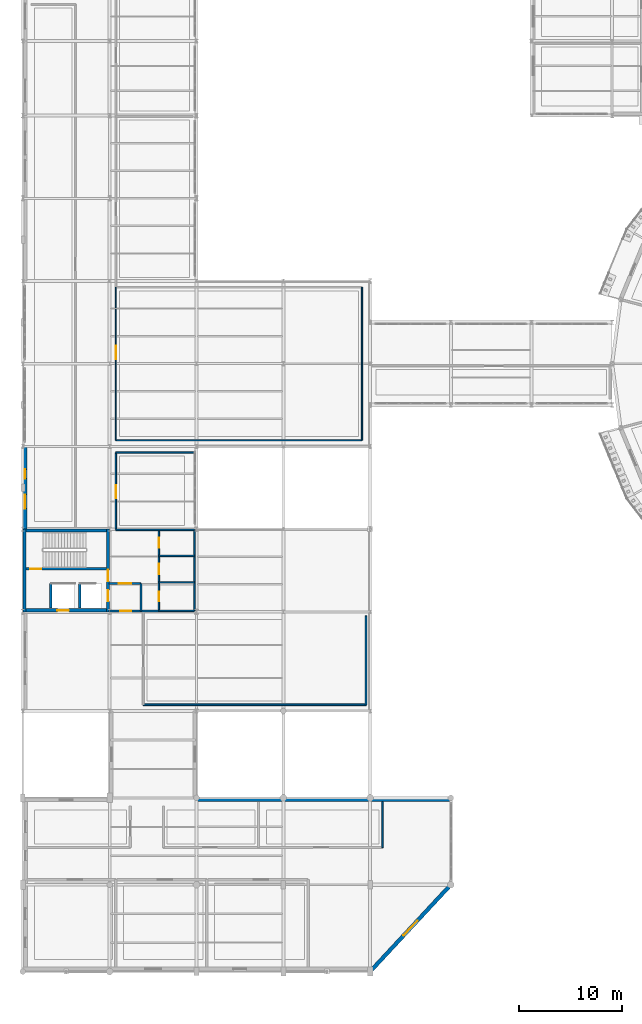
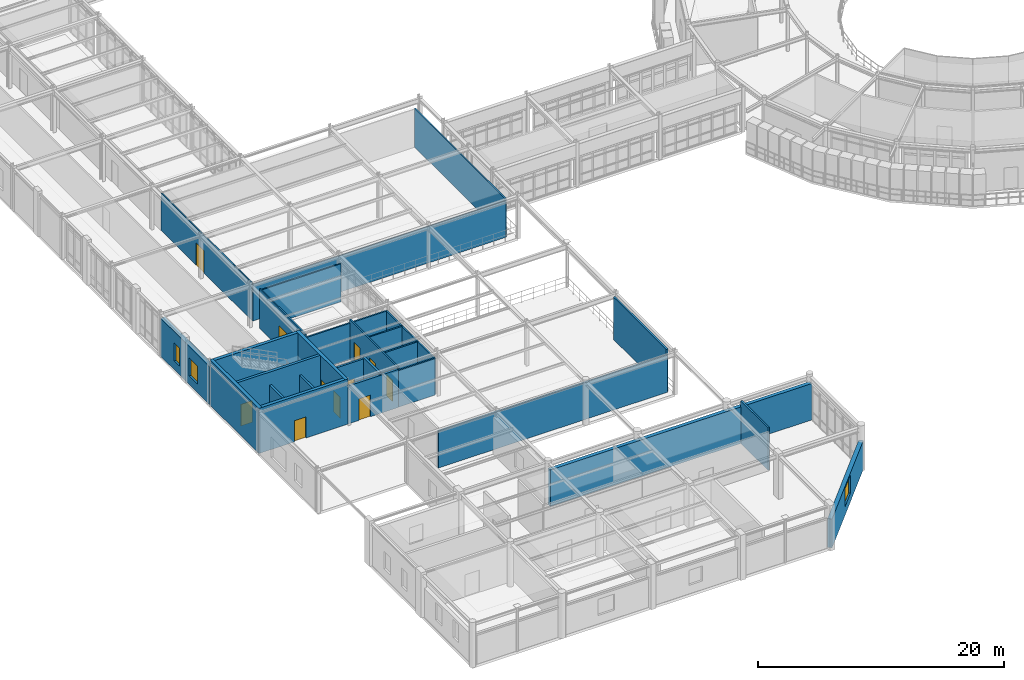
# One storey, part 84 of 106: 27 walls, 11 doors, 3 windows, 14 openings.
"""IFC4 building model written with IfcOpenShell, lengths in metres."""

import ifcopenshell
import ifcopenshell.guid

model = None  # the IFC model being written
_history = None  # IfcOwnerHistory: only IFC2X3 demands one
_inside = {}  # id of a spatial element -> (the spatial element, [elements in it])
_under = {}  # id of a project, library or spatial element -> (it, [spatial elements below it])
_declared = {}  # id of a project -> (the project, [libraries it declares])
_typed = {}  # id of a type object -> (the type object, [elements of that type])
_made_of = {}  # id of a material, layer set ... -> (it, [elements and type objects made of it])


def new_model(schema):
    """Start an empty IFC model of exactly this schema.

    Asked for "IFC4X3", IfcOpenShell would pick the latest addendum, in which some entities
    have other attributes; the version numbers below select the first issue.
    IFC2X3 requires an IfcOwnerHistory on every rooted entity: one is made here for all.
    """
    global model, _history
    if schema == "IFC4X3":
        model = ifcopenshell.file(schema_version=(4, 3, 0, 0))
    else:
        model = ifcopenshell.file(schema=schema)
    _inside.clear()
    _under.clear()
    _declared.clear()
    _typed.clear()
    _made_of.clear()
    _history = None
    if model.schema == "IFC2X3":
        org = make("IfcOrganization", Name="unknown")
        user = make(
            "IfcPersonAndOrganization",
            ThePerson=make("IfcPerson", FamilyName="unknown"),
            TheOrganization=org,
        )
        app = make(
            "IfcApplication",
            ApplicationDeveloper=org,
            Version="unknown",
            ApplicationFullName="unknown",
            ApplicationIdentifier="unknown",
        )
        _history = make(
            "IfcOwnerHistory",
            OwningUser=user,
            OwningApplication=app,
            ChangeAction="ADDED",
            CreationDate=0,
        )
    return model


def make(cls, **values):
    """One entity of the class cls with the attributes given. An attribute that is None is left unset."""
    return model.create_entity(
        cls, **{name: value for name, value in values.items() if value is not None}
    )


def rooted(cls, **values):
    """An entity with a GlobalId (a new one), such as an element, a storey or a relation."""
    return make(cls, GlobalId=ifcopenshell.guid.new(), OwnerHistory=_history, **values)


def si_unit(unit_type, name, prefix=None):
    """IfcSIUnit, for example si_unit("LENGTHUNIT", "METRE", prefix="MILLI")."""
    return make("IfcSIUnit", UnitType=unit_type, Prefix=prefix, Name=name)


def derived_unit(unit_type, elements):
    """IfcDerivedUnit: a product of units, each with its exponent."""
    return make(
        "IfcDerivedUnit",
        Elements=[
            make("IfcDerivedUnitElement", Unit=unit, Exponent=power)
            for unit, power in elements
        ],
        UnitType=unit_type,
    )


def assignment(units):
    """IfcUnitAssignment: the units of a project."""
    return None if units is None else make("IfcUnitAssignment", Units=units)


def point(xyz):
    """IfcCartesianPoint."""
    return None if xyz is None else make("IfcCartesianPoint", Coordinates=xyz)


def direction(xyz):
    """IfcDirection."""
    return None if xyz is None else make("IfcDirection", DirectionRatios=xyz)


def frame(location, z_axis=None, x_axis=None):
    """IfcAxis2Placement3D, a coordinate frame: its origin and axes. An axis left out is left unset."""
    return make(
        "IfcAxis2Placement3D",
        Location=point(location),
        Axis=direction(z_axis),
        RefDirection=direction(x_axis),
    )


def frame_2d(location, x_axis=None):
    """IfcAxis2Placement2D, a coordinate frame in the plane: its origin and x axis."""
    return make(
        "IfcAxis2Placement2D", Location=point(location), RefDirection=direction(x_axis)
    )


def origin():
    """The frame at (0, 0, 0) with its axes left unset."""
    return frame((0.0, 0.0, 0.0))


def place(relative_to, where):
    """IfcLocalPlacement: puts the frame where relative to a parent placement (None: the world)."""
    return make(
        "IfcLocalPlacement", PlacementRelTo=relative_to, RelativePlacement=where
    )


def context(
    kind, dimensions, precision=None, world=None, true_north=None, identifier=None
):
    """IfcGeometricRepresentationContext, for example the 3D "Model" context."""
    return make(
        "IfcGeometricRepresentationContext",
        ContextIdentifier=identifier,
        ContextType=kind,
        CoordinateSpaceDimension=dimensions,
        Precision=precision,
        WorldCoordinateSystem=world,
        TrueNorth=true_north,
    )


def subcontext(parent, identifier, kind, view, scale=None):
    """IfcGeometricRepresentationSubContext, for example "Body" below "Model"."""
    return make(
        "IfcGeometricRepresentationSubContext",
        ContextIdentifier=identifier,
        ContextType=kind,
        ParentContext=parent,
        TargetScale=scale,
        TargetView=view,
    )


def project(units=None, contexts=None):
    """IfcProject with its units and contexts."""
    return rooted(
        "IfcProject",
        Name="project",
        RepresentationContexts=contexts,
        UnitsInContext=assignment(units),
    )


def spatial(cls, under=None, at=None, **own):
    """A site, building, storey or space (cls), placed at a placement, below another one or the project."""
    s = rooted(cls, ObjectPlacement=at, **own)
    if under is not None:
        _under.setdefault(under.id(), (under, []))[1].append(s)
    return s


def profile(cls, at=None, kind="AREA", **sizes):
    """A parametric profile (cls). Its sizes go by their IFC names, for example OverallWidth=200.0."""
    return make(cls, ProfileType=kind, Position=at, **sizes)


def rectangle(**sizes):
    """IfcRectangleProfileDef."""
    return profile("IfcRectangleProfileDef", **sizes)


def extrude(swept, where, along, depth):
    """IfcExtrudedAreaSolid: the profile swept, set in the frame where, extruded along a direction by depth."""
    return make(
        "IfcExtrudedAreaSolid",
        SweptArea=swept,
        Position=where,
        ExtrudedDirection=direction(along),
        Depth=depth,
    )


def shape(context_of_items, identifier, shape_type, items):
    """IfcShapeRepresentation: the items that make up one representation, for example the "Body"."""
    return make(
        "IfcShapeRepresentation",
        ContextOfItems=context_of_items,
        RepresentationIdentifier=identifier,
        RepresentationType=shape_type,
        Items=items,
    )


def material(Name=None, Category=None):
    """IfcMaterial."""
    return make("IfcMaterial", Name=Name, Category=Category)


def layer(
    of_material, thickness, ventilated=None, Name=None, Category=None, Priority=None
):
    """IfcMaterialLayer: one layer of a wall or slab, of a material (None: an air gap)."""
    return make(
        "IfcMaterialLayer",
        Material=of_material,
        LayerThickness=thickness,
        IsVentilated=ventilated,
        Name=Name,
        Category=Category,
        Priority=Priority,
    )


def layer_set(layers, Name=None):
    """IfcMaterialLayerSet."""
    return make("IfcMaterialLayerSet", MaterialLayers=layers, LayerSetName=Name)


def made_of(thing, what):
    """Note that an element or type object is made of a material, layer set ...; save() writes the relation."""
    if what is not None:
        _made_of.setdefault(what.id(), (what, []))[1].append(thing)
    return thing


def type_object(cls, material=None, **own):
    """A type object (cls), such as IfcWallType, which elements share."""
    return made_of(rooted(cls, **own), material)


def element(
    cls,
    number,
    at=None,
    inside=None,
    cuts=None,
    type_object=None,
    material=None,
    context=None,
    identifier="Body",
    shape_type=None,
    held_by="IfcProductDefinitionShape",
    body=None,
    shapes=None,
    **own,
):
    """One element of the class cls, such as IfcWall. Its Tag is "e" and its number.

    at: its placement. inside: the storey or other place that contains it. cuts: it is an
    opening in that element (IfcRelVoidsElement). A single representation is given by context,
    identifier, shape_type and body (its items); several are given by shapes. held_by: the class
    of the entity that holds the representations. save() writes the other relations.
    """
    e = rooted(cls, Tag="e%d" % number, ObjectPlacement=at, **own)
    if body is not None:
        shapes = [shape(context, identifier, shape_type, body)]
    if shapes is not None:
        e.Representation = make(held_by, Representations=shapes)
    if inside is not None:
        _inside.setdefault(inside.id(), (inside, []))[1].append(e)
    if cuts is not None:
        rooted(
            "IfcRelVoidsElement", RelatingBuildingElement=cuts, RelatedOpeningElement=e
        )
    if type_object is not None:
        _typed.setdefault(type_object.id(), (type_object, []))[1].append(e)
    return made_of(e, material)


def fill(opening, filler):
    """IfcRelFillsElement: the door or window that sits in an opening."""
    return rooted(
        "IfcRelFillsElement",
        RelatingOpeningElement=opening,
        RelatedBuildingElement=filler,
    )


def aggregate(whole, parts):
    """IfcRelAggregates: a whole, such as a stair, and the parts it consists of."""
    return rooted("IfcRelAggregates", RelatingObject=whole, RelatedObjects=parts)


def save(model, path):
    """Write the relations noted so far, then the file.

    IfcRelAggregates (storeys below a building ...), IfcRelContainedInSpatialStructure (elements
    in a storey), IfcRelDefinesByType, IfcRelAssociatesMaterial and IfcRelDeclares: one each for
    every whole, place, type object, material and project.
    """
    for whole, parts in _under.values():
        aggregate(whole, parts)
    for where, things in _inside.values():
        rooted(
            "IfcRelContainedInSpatialStructure",
            RelatedElements=things,
            RelatingStructure=where,
        )
    for kind, things in _typed.values():
        rooted("IfcRelDefinesByType", RelatedObjects=things, RelatingType=kind)
    for what, things in _made_of.values():
        rooted("IfcRelAssociatesMaterial", RelatedObjects=things, RelatingMaterial=what)
    for by, libraries in _declared.values():
        rooted("IfcRelDeclares", RelatingContext=by, RelatedDefinitions=libraries)
    model.write(path)


model = new_model("IFC4")

# Units and contexts
model_context = context("Model", 3, precision=1e-05, world=origin(), true_north=direction((0.0, 1.0)))
body_context = subcontext(model_context, "Body", "Model", "MODEL_VIEW")
ifc_project = project(units=[si_unit("LENGTHUNIT", "METRE"), si_unit("AREAUNIT", "SQUARE_METRE"), si_unit("VOLUMEUNIT", "CUBIC_METRE"), si_unit("PLANEANGLEUNIT", "RADIAN"), si_unit("MASSUNIT", "GRAM", prefix="KILO"), derived_unit("THERMALTRANSMITTANCEUNIT", [(si_unit("POWERUNIT", "WATT"), 1), (si_unit("AREAUNIT", "SQUARE_METRE"), -1), (si_unit("THERMODYNAMICTEMPERATUREUNIT", "KELVIN"), -1)])], contexts=[model_context])

# Site, building, storey
site_placement = place(None, origin())
site = spatial("IfcSite", under=ifc_project, at=site_placement, CompositionType="ELEMENT")
building_placement = place(site_placement, origin())
building = spatial("IfcBuilding", under=site, at=building_placement, Name="Yasenodar Specialist Clinic", CompositionType="ELEMENT")
storey_placement = place(building_placement, frame((0.0, 0.0, 4.5)))
storey = spatial("IfcBuildingStorey", under=building, at=storey_placement, Name="L01", CompositionType="ELEMENT", Elevation=4.5)

# Wall, opening, window
ifc_material_1 = material(Name="Leznykivske Rose Granite Rainscreen", Category="masonry")
ifc_layer_1 = layer(ifc_material_1, 0.3798828125)
ifc_layer_set_1 = layer_set([ifc_layer_1], Name="Leznykivske Rose Granite Rainscreen")
wall_type_1 = type_object("IfcWallType", Name="EW-GRAN-380", PredefinedType="SOLIDWALL", material=ifc_layer_set_1)
wall_1_placement = place(storey_placement, frame((41.39990234375, 8.39990234375, 0.0), z_axis=(0.0, 0.0, 1.0), x_axis=(-0.680446197767, -0.732798043082, 0.0)))
wall_1 = element("IfcWall", 1, at=wall_1_placement, inside=storey, type_object=wall_type_1, Name="L01 Exterior Facade Wall 0058", PredefinedType="SOLIDWALL", context=body_context, shape_type="SweptSolid", body=[
    extrude(rectangle(XDim=11.462890625, YDim=0.3798828125, at=frame_2d((5.7314453125, 0.0))), origin(), (0.0, 0.0, 1.0), 2.867919921875),
])
opening_1_placement = place(wall_1_placement, frame((4.756591796875, 0.0, 0.85009765625)))
opening_1 = element("IfcOpeningElement", 2, at=opening_1_placement, cuts=wall_1, Name="Opening W-24", PredefinedType="OPENING", context=body_context, shape_type="SweptSolid", body=[
    extrude(rectangle(XDim=1.949951171875, YDim=1.800048828125, at=frame_2d((0.97509765625, 0.89990234375))), frame((0.0, 0.199951171875, 0.0), z_axis=(0.0, -1.0, 0.0), x_axis=(1.0, 0.0, 0.0)), (0.0, 0.0, 1.0), 0.39990234375),
])
ifc_material_2 = material(Name="Triple Low-E Argon Glazing in Bronze Aluminium Frame", Category="aluminium")
window_type_1 = type_object("IfcWindowType", Name="WIN-EXT-24", PartitioningType="SINGLE_PANEL", PredefinedType="WINDOW", material=ifc_material_2)
window_1_placement = place(opening_1_placement, origin())
window_1 = element("IfcWindow", 3, at=window_1_placement, inside=storey, type_object=window_type_1, Name="L01 Triple-Glazed Reveal Window 0040", OverallHeight=1.800048828125, OverallWidth=1.949951171875, PartitioningType="SINGLE_PANEL", PredefinedType="WINDOW", context=body_context, shape_type="SweptSolid", body=[
    extrude(rectangle(XDim=1.949951171875, YDim=1.800048828125, at=frame_2d((0.97509765625, 0.89990234375))), frame((0.0, 0.030029296875, 0.0), z_axis=(0.0, -1.0, 0.0), x_axis=(1.0, 0.0, 0.0)), (0.0, 0.0, 1.0), 0.06005859375),
])
fill(opening_1, window_1)

# Wall, openings, windows
ifc_material_3 = material(Name="Kapustianske Red Granite Ashlar Rainscreen", Category="masonry")
ifc_layer_2 = layer(ifc_material_3, 0.419921875)
ifc_layer_set_2 = layer_set([ifc_layer_2], Name="Kapustianske Red Granite Ashlar Rainscreen")
wall_type_2 = type_object("IfcWallType", Name="EW-GRAN-420", PredefinedType="SOLIDWALL", material=ifc_layer_set_2)
wall_2_placement = place(storey_placement, frame((0.199951171875, 42.800048828125, 0.0), z_axis=(0.0, 0.0, 1.0), x_axis=(0.0, 1.0, 0.0)))
wall_2 = element("IfcWall", 4, at=wall_2_placement, inside=storey, type_object=wall_type_2, Name="L01 Exterior Facade Wall 0091", PredefinedType="SOLIDWALL", context=body_context, shape_type="SweptSolid", body=[
    extrude(rectangle(XDim=8.0, YDim=0.419921875, at=frame_2d((4.0, 0.0))), origin(), (0.0, 0.0, 1.0), 3.778076171875),
])
opening_2_placement = place(wall_2_placement, frame((1.99169921875, 0.0, 0.85009765625)))
opening_2 = element("IfcOpeningElement", 5, at=opening_2_placement, cuts=wall_2, Name="Opening W-02", PredefinedType="OPENING", context=body_context, shape_type="SweptSolid", body=[
    extrude(rectangle(XDim=1.35009765625, YDim=1.800048828125, at=frame_2d((0.675048828125, 0.89990234375))), frame((0.0, 0.219970703125, 0.0), z_axis=(0.0, -1.0, 0.0), x_axis=(1.0, 0.0, 0.0)), (0.0, 0.0, 1.0), 0.43994140625),
])
opening_3_placement = place(wall_2_placement, frame((4.88330078125, 0.0, 0.85009765625)))
opening_3 = element("IfcOpeningElement", 6, at=opening_3_placement, cuts=wall_2, Name="Opening W-09", PredefinedType="OPENING", context=body_context, shape_type="SweptSolid", body=[
    extrude(rectangle(XDim=0.89990234375, YDim=1.800048828125, at=frame_2d((0.449951171875, 0.89990234375))), frame((0.0, 0.219970703125, 0.0), z_axis=(0.0, -1.0, 0.0), x_axis=(1.0, 0.0, 0.0)), (0.0, 0.0, 1.0), 0.43994140625),
])
window_type_2 = type_object("IfcWindowType", Name="WIN-EXT-02", PartitioningType="SINGLE_PANEL", PredefinedType="WINDOW", material=ifc_material_2)
window_2_placement = place(opening_2_placement, origin())
window_2 = element("IfcWindow", 7, at=window_2_placement, inside=storey, type_object=window_type_2, Name="L01 Triple-Glazed Reveal Window 0079", OverallHeight=1.800048828125, OverallWidth=1.35009765625, PartitioningType="SINGLE_PANEL", PredefinedType="WINDOW", context=body_context, shape_type="SweptSolid", body=[
    extrude(rectangle(XDim=1.35009765625, YDim=1.800048828125, at=frame_2d((0.675048828125, 0.89990234375))), frame((0.0, 0.030029296875, 0.0), z_axis=(0.0, -1.0, 0.0), x_axis=(1.0, 0.0, 0.0)), (0.0, 0.0, 1.0), 0.06005859375),
])
fill(opening_2, window_2)
window_type_3 = type_object("IfcWindowType", Name="WIN-EXT-09", PartitioningType="SINGLE_PANEL", PredefinedType="WINDOW", material=ifc_material_2)
window_3_placement = place(opening_3_placement, origin())
window_3 = element("IfcWindow", 8, at=window_3_placement, inside=storey, type_object=window_type_3, Name="L01 Triple-Glazed Reveal Window 0080", OverallHeight=1.800048828125, OverallWidth=0.89990234375, PartitioningType="SINGLE_PANEL", PredefinedType="WINDOW", context=body_context, shape_type="SweptSolid", body=[
    extrude(rectangle(XDim=0.89990234375, YDim=1.800048828125, at=frame_2d((0.449951171875, 0.89990234375))), frame((0.0, 0.030029296875, 0.0), z_axis=(0.0, -1.0, 0.0), x_axis=(1.0, 0.0, 0.0)), (0.0, 0.0, 1.0), 0.06005859375),
])
fill(opening_3, window_3)

# Walls
ifc_material_4 = material(Name="Buff Architectural Terracotta Rainscreen", Category="masonry")
ifc_layer_3 = layer(ifc_material_4, 0.340087890625)
ifc_layer_set_3 = layer_set([ifc_layer_3], Name="Buff Architectural Terracotta Rainscreen")
wall_type_3 = type_object("IfcWallType", Name="EW-TERR-340", PredefinedType="SOLIDWALL", material=ifc_layer_set_3)
wall_3_placement = place(storey_placement, frame((16.800048828125, 16.60009765625, 0.0), z_axis=(0.0, 0.0, 1.0), x_axis=(1.0, 0.0, 0.0)))
element("IfcWall", 9, at=wall_3_placement, inside=storey, type_object=wall_type_3, Name="L01 Exterior Facade Wall 0055", PredefinedType="SOLIDWALL", context=body_context, shape_type="SweptSolid", body=[
    extrude(rectangle(XDim=24.599853515625, YDim=0.340087890625, at=frame_2d((12.2998046875, 0.0))), origin(), (0.0, 0.0, 1.0), 3.6279296875),
])
ifc_material_5 = material(Name="Acoustic Double-Gypsum Consulting Partition")
ifc_layer_4 = layer(ifc_material_5, 0.159912109375)
ifc_layer_set_4 = layer_set([ifc_layer_4], Name="Acoustic Double-Gypsum Consulting Partition")
wall_type_4 = type_object("IfcWallType", Name="IW-CONS-160", PredefinedType="PARTITIONING", material=ifc_layer_set_4)
wall_4_placement = place(storey_placement, frame((34.800048828125, 16.449951171875, 0.0), z_axis=(0.0, 0.0, 1.0), x_axis=(0.0, -1.0, 0.0)))
element("IfcWall", 10, at=wall_4_placement, inside=storey, type_object=wall_type_4, Name="L01 Doppler Ultrasound Suite 02 Partition", PredefinedType="PARTITIONING", context=body_context, shape_type="SweptSolid", body=[
    extrude(rectangle(XDim=4.449951171875, YDim=0.159912109375, at=frame_2d((2.22509765625, 0.0))), origin(), (0.0, 0.0, 1.0), 4.22998046875),
])
ifc_material_6 = material(Name="Cleanroom Laboratory Partition")
ifc_layer_5 = layer(ifc_material_6, 0.169921875)
ifc_layer_set_5 = layer_set([ifc_layer_5], Name="Cleanroom Laboratory Partition")
wall_type_5 = type_object("IfcWallType", Name="IW-LAB-170", PredefinedType="PARTITIONING", material=ifc_layer_set_5)
wall_5_placement = place(storey_placement, frame((33.199951171875, 25.800048828125, 0.0), z_axis=(0.0, 0.0, 1.0), x_axis=(-1.0, 0.0, 0.0)))
element("IfcWall", 11, at=wall_5_placement, inside=storey, type_object=wall_type_5, Name="L01 Vascular Outpatient Clinic Partition", PredefinedType="PARTITIONING", context=body_context, shape_type="SweptSolid", body=[
    extrude(rectangle(XDim=21.550048828125, YDim=0.169921875, at=frame_2d((10.77490234375, 0.0))), origin(), (0.0, 0.0, 1.0), 3.677978515625),
])
wall_6_placement = place(storey_placement, frame((33.199951171875, 34.39990234375, 0.0), z_axis=(0.0, 0.0, 1.0), x_axis=(0.0, -1.0, 0.0)))
element("IfcWall", 12, at=wall_6_placement, inside=storey, type_object=wall_type_5, Name="L01 Vascular Outpatient Clinic Partition", PredefinedType="PARTITIONING", context=body_context, shape_type="SweptSolid", body=[
    extrude(rectangle(XDim=8.599853515625, YDim=0.169921875, at=frame_2d((4.2998046875, 0.0))), origin(), (0.0, 0.0, 1.0), 4.22998046875),
])

# Wall, opening, door
ifc_material_7 = material(Name="Fire-Rated Gypsum and Mineral-Wool Wall")
ifc_layer_6 = layer(ifc_material_7, 0.195068359375)
ifc_layer_set_6 = layer_set([ifc_layer_6], Name="Fire-Rated Gypsum and Mineral-Wool Wall")
wall_type_6 = type_object("IfcWallType", Name="IW-LOBBY-195", PredefinedType="PARTITIONING", material=ifc_layer_set_6)
wall_7_placement = place(storey_placement, frame((8.35009765625, 37.550048828125, 0.0), z_axis=(0.0, 0.0, 1.0), x_axis=(1.0, 0.0, 0.0)))
wall_7 = element("IfcWall", 13, at=wall_7_placement, inside=storey, type_object=wall_type_6, Name="L01 C1 Passenger Lift Lobby North Wall", PredefinedType="PARTITIONING", context=body_context, shape_type="SweptSolid", body=[
    extrude(rectangle(XDim=3.099853515625, YDim=0.195068359375, at=frame_2d((1.5498046875, 0.0))), origin(), (0.0, 0.0, 1.0), 3.827880859375),
])
opening_4_placement = place(wall_7_placement, frame((0.949951171875, 0.0, 0.0)))
opening_4 = element("IfcOpeningElement", 14, at=opening_4_placement, cuts=wall_7, Name="Opening FD-02", PredefinedType="OPENING", context=body_context, shape_type="SweptSolid", body=[
    extrude(rectangle(XDim=1.199951171875, YDim=2.14990234375, at=frame_2d((0.60009765625, 1.074951171875))), frame((0.0, 0.107421875, 0.0), z_axis=(0.0, -1.0, 0.0), x_axis=(1.0, 0.0, 0.0)), (0.0, 0.0, 1.0), 0.215087890625),
])
ifc_material_8 = material(Name="Fire-Rated Insulated Steel Door", Category="steel")
door_type_1 = type_object("IfcDoorType", Name="DR-FD-120", OperationType="NOTDEFINED", PredefinedType="DOOR", material=ifc_material_8)
door_1_placement = place(opening_4_placement, origin())
door_1 = element("IfcDoor", 15, at=door_1_placement, inside=storey, type_object=door_type_1, Name="L01 C1 Passenger Lift Lobby Door", OperationType="SINGLE_SWING_LEFT", OverallHeight=2.14990234375, OverallWidth=1.199951171875, PredefinedType="DOOR", context=body_context, shape_type="SweptSolid", body=[
    extrude(rectangle(XDim=1.199951171875, YDim=2.14990234375, at=frame_2d((0.60009765625, 1.074951171875))), frame((0.0, 0.02490234375, 0.0), z_axis=(0.0, -1.0, 0.0), x_axis=(1.0, 0.0, 0.0)), (0.0, 0.0, 1.0), 0.050048828125),
])
fill(opening_4, door_1)

# Wall
wall_8_placement = place(storey_placement, frame((11.449951171875, 34.89990234375, 0.0), z_axis=(0.0, 0.0, 1.0), x_axis=(0.0, 1.0, 0.0)))
element("IfcWall", 16, at=wall_8_placement, inside=storey, type_object=wall_type_6, Name="L01 C1 Passenger Lift Lobby East Wall", PredefinedType="PARTITIONING", context=body_context, shape_type="SweptSolid", body=[
    extrude(rectangle(XDim=2.650146484375, YDim=0.195068359375, at=frame_2d((1.3251953125, 0.0))), origin(), (0.0, 0.0, 1.0), 3.97802734375),
])

# Wall, opening, door
wall_9_placement = place(storey_placement, frame((8.35009765625, 34.89990234375, 0.0), z_axis=(0.0, 0.0, 1.0), x_axis=(1.0, 0.0, 0.0)))
wall_9 = element("IfcWall", 17, at=wall_9_placement, inside=storey, type_object=wall_type_6, Name="L01 C1 Passenger Lift Lobby South Wall", PredefinedType="PARTITIONING", context=body_context, shape_type="SweptSolid", body=[
    extrude(rectangle(XDim=4.7998046875, YDim=0.195068359375, at=frame_2d((2.39990234375, 0.0))), origin(), (0.0, 0.0, 1.0), 3.778076171875),
])
opening_5_placement = place(wall_9_placement, frame((1.050048828125, 0.0, 0.0)))
opening_5 = element("IfcOpeningElement", 18, at=opening_5_placement, cuts=wall_9, Name="Opening FD-01", PredefinedType="OPENING", context=body_context, shape_type="SweptSolid", body=[
    extrude(rectangle(XDim=1.10009765625, YDim=2.14990234375, at=frame_2d((0.550048828125, 1.074951171875))), frame((0.0, 0.107421875, 0.0), z_axis=(0.0, -1.0, 0.0), x_axis=(1.0, 0.0, 0.0)), (0.0, 0.0, 1.0), 0.215087890625),
])
door_type_2 = type_object("IfcDoorType", Name="DR-FD-110", OperationType="NOTDEFINED", PredefinedType="DOOR", material=ifc_material_8)
door_2_placement = place(opening_5_placement, origin())
door_2 = element("IfcDoor", 19, at=door_2_placement, inside=storey, type_object=door_type_2, Name="L01 C1 South Spine Door", OperationType="SINGLE_SWING_RIGHT", OverallHeight=2.14990234375, OverallWidth=1.10009765625, PredefinedType="DOOR", context=body_context, shape_type="SweptSolid", body=[
    extrude(rectangle(XDim=1.10009765625, YDim=2.14990234375, at=frame_2d((0.550048828125, 1.074951171875))), frame((0.0, 0.02490234375, 0.0), z_axis=(0.0, -1.0, 0.0), x_axis=(1.0, 0.0, 0.0)), (0.0, 0.0, 1.0), 0.050048828125),
])
fill(opening_5, door_2)

ifc_material_9 = material(Name="Lightweight Counseling Partition")
ifc_layer_7 = layer(ifc_material_9, 0.114990234375)
ifc_layer_set_7 = layer_set([ifc_layer_7], Name="Lightweight Counseling Partition")
wall_type_7 = type_object("IfcWallType", Name="IW-PART-115", PredefinedType="PARTITIONING", material=ifc_layer_set_7)
wall_10_placement = place(storey_placement, frame((9.0, 51.39990234375, 0.0), z_axis=(0.0, 0.0, 1.0), x_axis=(0.0, 1.0, 0.0)))
wall_10 = element("IfcWall", 20, at=wall_10_placement, inside=storey, type_object=wall_type_7, Name="L01 Light Bridge Waiting Lounge Partition", PredefinedType="PARTITIONING", context=body_context, shape_type="SweptSolid", body=[
    extrude(rectangle(XDim=14.800048828125, YDim=0.114990234375, at=frame_2d((7.39990234375, 0.0))), origin(), (0.0, 0.0, 1.0), 3.72802734375),
])
opening_6_placement = place(wall_10_placement, frame((7.85009765625, 0.0, 0.0)))
opening_6 = element("IfcOpeningElement", 21, at=opening_6_placement, cuts=wall_10, Name="Opening D-08", PredefinedType="OPENING", context=body_context, shape_type="SweptSolid", body=[
    extrude(rectangle(XDim=1.280029296875, YDim=2.219970703125, at=frame_2d((0.64013671875, 1.10986328125))), frame((0.0, 0.0673828125, 0.0), z_axis=(0.0, -1.0, 0.0), x_axis=(1.0, 0.0, 0.0)), (0.0, 0.0, 1.0), 0.135009765625),
])
ifc_material_10 = material(Name="Powder-Coated Steel and Acoustic Laminate Leaf", Category="steel")
door_type_3 = type_object("IfcDoorType", Name="DR-CLN-128", OperationType="NOTDEFINED", PredefinedType="DOOR", material=ifc_material_10)
door_3_placement = place(opening_6_placement, origin())
door_3 = element("IfcDoor", 22, at=door_3_placement, inside=storey, type_object=door_type_3, Name="L01 Light Bridge Waiting Lounge Door", OperationType="SINGLE_SWING_RIGHT", OverallHeight=2.219970703125, OverallWidth=1.280029296875, PredefinedType="DOOR", context=body_context, shape_type="SweptSolid", body=[
    extrude(rectangle(XDim=1.280029296875, YDim=2.219970703125, at=frame_2d((0.64013671875, 1.10986328125))), frame((0.0, 0.02490234375, 0.0), z_axis=(0.0, -1.0, 0.0), x_axis=(1.0, 0.0, 0.0)), (0.0, 0.0, 1.0), 0.050048828125),
])
fill(opening_6, door_3)

# Walls
wall_11_placement = place(storey_placement, frame((32.800048828125, 66.199951171875, 0.0), z_axis=(0.0, 0.0, 1.0), x_axis=(0.0, -1.0, 0.0)))
element("IfcWall", 23, at=wall_11_placement, inside=storey, type_object=wall_type_7, Name="L01 Light Bridge Waiting Lounge Partition", PredefinedType="PARTITIONING", context=body_context, shape_type="SweptSolid", body=[
    extrude(rectangle(XDim=14.800048828125, YDim=0.114990234375, at=frame_2d((7.39990234375, 0.0))), origin(), (0.0, 0.0, 1.0), 3.827880859375),
])
wall_12_placement = place(storey_placement, frame((32.800048828125, 51.39990234375, 0.0), z_axis=(0.0, 0.0, 1.0), x_axis=(-1.0, 0.0, 0.0)))
element("IfcWall", 24, at=wall_12_placement, inside=storey, type_object=wall_type_7, Name="L01 Light Bridge Waiting Lounge Partition", PredefinedType="PARTITIONING", context=body_context, shape_type="SweptSolid", body=[
    extrude(rectangle(XDim=23.800048828125, YDim=0.114990234375, at=frame_2d((11.89990234375, 0.0))), origin(), (0.0, 0.0, 1.0), 3.6279296875),
])

# Wall, opening, door
ifc_material_11 = material(Name="Clinical Sub-Division Partition")
ifc_layer_8 = layer(ifc_material_11, 0.125)
ifc_layer_set_8 = layer_set([ifc_layer_8], Name="Clinical Sub-Division Partition")
wall_type_8 = type_object("IfcWallType", Name="IW-PART-125", PredefinedType="PARTITIONING", material=ifc_layer_set_8)
wall_13_placement = place(storey_placement, frame((9.0, 50.199951171875, 0.0), z_axis=(0.0, 0.0, 1.0), x_axis=(0.0, -1.0, 0.0)))
wall_13 = element("IfcWall", 25, at=wall_13_placement, inside=storey, type_object=wall_type_8, Name="L01 ECG Functional Diagnostics Room Partition", PredefinedType="PARTITIONING", context=body_context, shape_type="SweptSolid", body=[
    extrude(rectangle(XDim=7.419921875, YDim=0.125, at=frame_2d((3.7099609375, 0.0))), origin(), (0.0, 0.0, 1.0), 3.927978515625),
])
opening_7_placement = place(wall_13_placement, frame((3.159912109375, 0.0, 0.0)))
opening_7 = element("IfcOpeningElement", 26, at=opening_7_placement, cuts=wall_13, Name="Opening D-07", PredefinedType="OPENING", context=body_context, shape_type="SweptSolid", body=[
    extrude(rectangle(XDim=1.239990234375, YDim=2.199951171875, at=frame_2d((0.6201171875, 1.10009765625))), frame((0.0, 0.072509765625, 0.0), z_axis=(0.0, -1.0, 0.0), x_axis=(1.0, 0.0, 0.0)), (0.0, 0.0, 1.0), 0.14501953125),
])
door_type_4 = type_object("IfcDoorType", Name="DR-CLN-124", OperationType="NOTDEFINED", PredefinedType="DOOR", material=ifc_material_10)
door_4_placement = place(opening_7_placement, origin())
door_4 = element("IfcDoor", 27, at=door_4_placement, inside=storey, type_object=door_type_4, Name="L01 ECG Functional Diagnostics Room Door", OperationType="SINGLE_SWING_LEFT", OverallHeight=2.199951171875, OverallWidth=1.239990234375, PredefinedType="DOOR", context=body_context, shape_type="SweptSolid", body=[
    extrude(rectangle(XDim=1.239990234375, YDim=2.199951171875, at=frame_2d((0.6201171875, 1.10009765625))), frame((0.0, 0.02490234375, 0.0), z_axis=(0.0, -1.0, 0.0), x_axis=(1.0, 0.0, 0.0)), (0.0, 0.0, 1.0), 0.050048828125),
])
fill(opening_7, door_4)

# Walls
wall_14_placement = place(storey_placement, frame((16.590087890625, 50.199951171875, 0.0), z_axis=(0.0, 0.0, 1.0), x_axis=(-1.0, 0.0, 0.0)))
element("IfcWall", 28, at=wall_14_placement, inside=storey, type_object=wall_type_8, Name="L01 ECG Functional Diagnostics Room Partition", PredefinedType="PARTITIONING", context=body_context, shape_type="SweptSolid", body=[
    extrude(rectangle(XDim=7.590087890625, YDim=0.125, at=frame_2d((3.794921875, 0.0))), origin(), (0.0, 0.0, 1.0), 3.778076171875),
])
ifc_material_12 = material(Name="Aerated Concrete Blockwork Fire Shaft Wall", Category="masonry")
ifc_layer_9 = layer(ifc_material_12, 0.205078125)
ifc_layer_set_9 = layer_set([ifc_layer_9], Name="Aerated Concrete Blockwork Fire Shaft Wall")
wall_type_9 = type_object("IfcWallType", Name="IW-SHAFT-205", PredefinedType="PARTITIONING", material=ifc_layer_set_9)
for number, where, z_axis, x_axis, name in (
    (29, (5.5, 35.14990234375, 0.0), (0.0, 0.0, 1.0), (0.0, 1.0, 0.0), "L01 LF-01 Lift Shaft Side Wall"),
    (30, (2.699951171875, 35.14990234375, 0.0), (0.0, 0.0, 1.0), (0.0, 1.0, 0.0), "L01 LF-05 Lift Shaft Side Wall"),
):
    element("IfcWall", number, at=place(storey_placement, frame(where, z_axis=z_axis, x_axis=x_axis)), inside=storey, type_object=wall_type_9, Name=name, PredefinedType="PARTITIONING", context=body_context, shape_type="SweptSolid", body=[
        extrude(rectangle(XDim=2.400146484375, YDim=0.205078125, at=frame_2d((1.2001953125, 0.0))), origin(), (0.0, 0.0, 1.0), 4.22998046875),
    ])

# Wall, openings, doors
ifc_material_13 = material(Name="Moisture-Resistant Sanitary Partition")
ifc_layer_10 = layer(ifc_material_13, 0.139892578125)
ifc_layer_set_10 = layer_set([ifc_layer_10], Name="Moisture-Resistant Sanitary Partition")
wall_type_10 = type_object("IfcWallType", Name="IW-WET-140", PredefinedType="PARTITIONING", material=ifc_layer_set_10)
wall_15_placement = place(storey_placement, frame((13.14990234375, 34.89990234375, 0.0), z_axis=(0.0, 0.0, 1.0), x_axis=(0.0, 1.0, 0.0)))
wall_15 = element("IfcWall", 31, at=wall_15_placement, inside=storey, type_object=wall_type_10, Name="L01 West Sanitary Block Corridor Wall", PredefinedType="PARTITIONING", context=body_context, shape_type="SweptSolid", body=[
    extrude(rectangle(XDim=7.820068359375, YDim=0.139892578125, at=frame_2d((3.91015625, 0.0))), origin(), (0.0, 0.0, 1.0), 3.97802734375),
])
opening_8_placement = place(wall_15_placement, frame((0.89990234375, 0.0, 0.0)))
opening_8 = element("IfcOpeningElement", 32, at=opening_8_placement, cuts=wall_15, Name="Opening D-01", PredefinedType="OPENING", context=body_context, shape_type="SweptSolid", body=[
    extrude(rectangle(XDim=0.949951171875, YDim=2.1201171875, at=frame_2d((0.47509765625, 1.06005859375))), frame((0.0, 0.080078125, 0.0), z_axis=(0.0, -1.0, 0.0), x_axis=(1.0, 0.0, 0.0)), (0.0, 0.0, 1.0), 0.159912109375),
])
opening_9_placement = place(wall_15_placement, frame((3.550048828125, 0.0, 0.0)))
opening_9 = element("IfcOpeningElement", 33, at=opening_9_placement, cuts=wall_15, Name="Opening D-02", PredefinedType="OPENING", context=body_context, shape_type="SweptSolid", body=[
    extrude(rectangle(XDim=0.97998046875, YDim=2.139892578125, at=frame_2d((0.489990234375, 1.06982421875))), frame((0.0, 0.080078125, 0.0), z_axis=(0.0, -1.0, 0.0), x_axis=(1.0, 0.0, 0.0)), (0.0, 0.0, 1.0), 0.159912109375),
])
opening_10_placement = place(wall_15_placement, frame((6.080078125, 0.0, 0.0)))
opening_10 = element("IfcOpeningElement", 34, at=opening_10_placement, cuts=wall_15, Name="Opening D-02", PredefinedType="OPENING", context=body_context, shape_type="SweptSolid", body=[
    extrude(rectangle(XDim=0.97998046875, YDim=2.139892578125, at=frame_2d((0.489990234375, 1.06982421875))), frame((0.0, 0.080078125, 0.0), z_axis=(0.0, -1.0, 0.0), x_axis=(1.0, 0.0, 0.0)), (0.0, 0.0, 1.0), 0.159912109375),
])
door_type_5 = type_object("IfcDoorType", Name="DR-CLN-095", OperationType="NOTDEFINED", PredefinedType="DOOR", material=ifc_material_10)
door_5_placement = place(opening_8_placement, origin())
door_5 = element("IfcDoor", 35, at=door_5_placement, inside=storey, type_object=door_type_5, Name="L01 Accessible WC Door", OperationType="SINGLE_SWING_LEFT", OverallHeight=2.1201171875, OverallWidth=0.949951171875, PredefinedType="DOOR", context=body_context, shape_type="SweptSolid", body=[
    extrude(rectangle(XDim=0.949951171875, YDim=2.1201171875, at=frame_2d((0.47509765625, 1.06005859375))), frame((0.0, 0.02490234375, 0.0), z_axis=(0.0, -1.0, 0.0), x_axis=(1.0, 0.0, 0.0)), (0.0, 0.0, 1.0), 0.050048828125),
])
fill(opening_8, door_5)
door_type_6 = type_object("IfcDoorType", Name="DR-CLN-098", OperationType="NOTDEFINED", PredefinedType="DOOR", material=ifc_material_10)
door_6_placement = place(opening_9_placement, origin())
door_6 = element("IfcDoor", 36, at=door_6_placement, inside=storey, type_object=door_type_6, Name="L01 Patient Washroom WC Door", OperationType="SINGLE_SWING_RIGHT", OverallHeight=2.139892578125, OverallWidth=0.97998046875, PredefinedType="DOOR", context=body_context, shape_type="SweptSolid", body=[
    extrude(rectangle(XDim=0.97998046875, YDim=2.139892578125, at=frame_2d((0.489990234375, 1.06982421875))), frame((0.0, 0.02490234375, 0.0), z_axis=(0.0, -1.0, 0.0), x_axis=(1.0, 0.0, 0.0)), (0.0, 0.0, 1.0), 0.050048828125),
])
fill(opening_9, door_6)
door_7_placement = place(opening_10_placement, origin())
door_7 = element("IfcDoor", 37, at=door_7_placement, inside=storey, type_object=door_type_6, Name="L01 Staff Washroom WC Door", OperationType="SINGLE_SWING_LEFT", OverallHeight=2.139892578125, OverallWidth=0.97998046875, PredefinedType="DOOR", context=body_context, shape_type="SweptSolid", body=[
    extrude(rectangle(XDim=0.97998046875, YDim=2.139892578125, at=frame_2d((0.489990234375, 1.06982421875))), frame((0.0, 0.02490234375, 0.0), z_axis=(0.0, -1.0, 0.0), x_axis=(1.0, 0.0, 0.0)), (0.0, 0.0, 1.0), 0.050048828125),
])
fill(opening_10, door_7)

# Walls
wall_16_placement = place(storey_placement, frame((16.60009765625, 34.89990234375, 0.0), z_axis=(0.0, 0.0, 1.0), x_axis=(0.0, 1.0, 0.0)))
element("IfcWall", 38, at=wall_16_placement, inside=storey, type_object=wall_type_10, Name="L01 West Sanitary Block East Wall", PredefinedType="PARTITIONING", context=body_context, shape_type="SweptSolid", body=[
    extrude(rectangle(XDim=7.820068359375, YDim=0.139892578125, at=frame_2d((3.91015625, 0.0))), origin(), (0.0, 0.0, 1.0), 3.6279296875),
])
wall_17_placement = place(storey_placement, frame((13.14990234375, 34.89990234375, 0.0), z_axis=(0.0, 0.0, 1.0), x_axis=(1.0, 0.0, 0.0)))
element("IfcWall", 39, at=wall_17_placement, inside=storey, type_object=wall_type_10, Name="L01 West Sanitary Block South Wall", PredefinedType="PARTITIONING", context=body_context, shape_type="SweptSolid", body=[
    extrude(rectangle(XDim=3.4501953125, YDim=0.139892578125, at=frame_2d((1.72509765625, 0.0))), origin(), (0.0, 0.0, 1.0), 3.6279296875),
])
wall_18_placement = place(storey_placement, frame((9.0, 42.719970703125, 0.0), z_axis=(0.0, 0.0, 1.0), x_axis=(1.0, 0.0, 0.0)))
element("IfcWall", 40, at=wall_18_placement, inside=storey, type_object=wall_type_10, Name="L01 West Sanitary Block North Wall", PredefinedType="PARTITIONING", context=body_context, shape_type="SweptSolid", body=[
    extrude(rectangle(XDim=7.60009765625, YDim=0.139892578125, at=frame_2d((3.800048828125, 0.0))), origin(), (0.0, 0.0, 1.0), 3.6279296875),
])
for number, where, z_axis, x_axis, name in (
    (41, (13.14990234375, 37.659912109375, 0.0), (0.0, 0.0, 1.0), (1.0, 0.0, 0.0), "L01 West Accessible WC Divider Wall"),
    (42, (13.14990234375, 40.2099609375, 0.0), (0.0, 0.0, 1.0), (1.0, 0.0, 0.0), "L01 West Patient and Staff WC Divider Wall"),
):
    element("IfcWall", number, at=place(storey_placement, frame(where, z_axis=z_axis, x_axis=x_axis)), inside=storey, type_object=wall_type_10, Name=name, PredefinedType="PARTITIONING", context=body_context, shape_type="SweptSolid", body=[
        extrude(rectangle(XDim=3.4501953125, YDim=0.139892578125, at=frame_2d((1.72509765625, 0.0))), origin(), (0.0, 0.0, 1.0), 3.6279296875),
    ])

# Wall, opening, door
ifc_material_14 = material(Name="Concrete C35/45", Category="concrete")
ifc_layer_11 = layer(ifc_material_14, 0.25)
ifc_layer_set_11 = layer_set([ifc_layer_11], Name="Concrete C35/45")
wall_type_11 = type_object("IfcWallType", Name="WL-CORE-250", PredefinedType="SHEAR", material=ifc_layer_set_11)
wall_19_placement = place(storey_placement, frame((0.300048828125, 38.949951171875, 0.0), z_axis=(0.0, 0.0, 1.0), x_axis=(1.0, 0.0, 0.0)))
wall_19 = element("IfcWall", 43, at=wall_19_placement, inside=storey, type_object=wall_type_11, Name="L01 Core C1 Central Spine Wall", PredefinedType="SHEAR", context=body_context, shape_type="SweptSolid", body=[
    extrude(rectangle(XDim=7.800048828125, YDim=0.25, at=frame_2d((3.89990234375, 0.0))), origin(), (0.0, 0.0, 1.0), 4.5),
])
opening_11_placement = place(wall_19_placement, frame((0.39990234375, 0.0, 0.0)))
opening_11 = element("IfcOpeningElement", 44, at=opening_11_placement, cuts=wall_19, Name="Opening FD-01", PredefinedType="OPENING", context=body_context, shape_type="SweptSolid", body=[
    extrude(rectangle(XDim=1.10009765625, YDim=2.14990234375, at=frame_2d((0.550048828125, 1.074951171875))), frame((0.0, 0.135009765625, 0.0), z_axis=(0.0, -1.0, 0.0), x_axis=(1.0, 0.0, 0.0)), (0.0, 0.0, 1.0), 0.27001953125),
])
door_8_placement = place(opening_11_placement, origin())
door_8 = element("IfcDoor", 45, at=door_8_placement, inside=storey, type_object=door_type_2, Name="L01 ST-01 Protected Stair Door", OperationType="SINGLE_SWING_LEFT", OverallHeight=2.14990234375, OverallWidth=1.10009765625, PredefinedType="DOOR", context=body_context, shape_type="SweptSolid", body=[
    extrude(rectangle(XDim=1.10009765625, YDim=2.14990234375, at=frame_2d((0.550048828125, 1.074951171875))), frame((0.0, 0.02490234375, 0.0), z_axis=(0.0, -1.0, 0.0), x_axis=(1.0, 0.0, 0.0)), (0.0, 0.0, 1.0), 0.050048828125),
])
fill(opening_11, door_8)

# Wall
ifc_layer_12 = layer(ifc_material_14, 0.300048828125)
ifc_layer_set_12 = layer_set([ifc_layer_12], Name="Concrete C35/45")
wall_type_12 = type_object("IfcWallType", Name="WL-CORE-300", PredefinedType="SHEAR", material=ifc_layer_set_12)
wall_20_placement = place(storey_placement, frame((0.0, 42.64990234375, 0.0), z_axis=(0.0, 0.0, 1.0), x_axis=(1.0, 0.0, 0.0)))
element("IfcWall", 46, at=wall_20_placement, inside=storey, type_object=wall_type_12, Name="L01 Core C1 North Shear Wall", PredefinedType="SHEAR", context=body_context, shape_type="SweptSolid", body=[
    extrude(rectangle(XDim=8.39990234375, YDim=0.300048828125, at=frame_2d((4.199951171875, 0.0))), origin(), (0.0, 0.0, 1.0), 4.5),
])

# Wall, opening, door
wall_21_placement = place(storey_placement, frame((0.0, 34.949951171875, 0.0), z_axis=(0.0, 0.0, 1.0), x_axis=(1.0, 0.0, 0.0)))
wall_21 = element("IfcWall", 47, at=wall_21_placement, inside=storey, type_object=wall_type_12, Name="L01 Core C1 South Shear Wall", PredefinedType="SHEAR", context=body_context, shape_type="SweptSolid", body=[
    extrude(rectangle(XDim=8.39990234375, YDim=0.300048828125, at=frame_2d((4.199951171875, 0.0))), origin(), (0.0, 0.0, 1.0), 4.5),
])
opening_12_placement = place(wall_21_placement, frame((3.35009765625, 0.0, 0.0)))
opening_12 = element("IfcOpeningElement", 48, at=opening_12_placement, cuts=wall_21, Name="Opening LD-03", PredefinedType="OPENING", context=body_context, shape_type="SweptSolid", body=[
    extrude(rectangle(XDim=1.10009765625, YDim=2.10009765625, at=frame_2d((0.550048828125, 1.050048828125))), frame((0.0, 0.16015625, 0.0), z_axis=(0.0, -1.0, 0.0), x_axis=(1.0, 0.0, 0.0)), (0.0, 0.0, 1.0), 0.320068359375),
])
door_type_7 = type_object("IfcDoorType", Name="DR-LD-110", OperationType="DOUBLE_DOOR_SLIDING", PredefinedType="DOOR", material=ifc_material_8)
door_9_placement = place(opening_12_placement, origin())
door_9 = element("IfcDoor", 49, at=door_9_placement, inside=storey, type_object=door_type_7, Name="L01 LF-05 Lift Landing Door", OperationType="DOUBLE_DOOR_SLIDING", OverallHeight=2.10009765625, OverallWidth=1.10009765625, PredefinedType="DOOR", context=body_context, shape_type="SweptSolid", body=[
    extrude(rectangle(XDim=1.10009765625, YDim=2.10009765625, at=frame_2d((0.550048828125, 1.050048828125))), frame((0.0, 0.02490234375, 0.0), z_axis=(0.0, -1.0, 0.0), x_axis=(1.0, 0.0, 0.0)), (0.0, 0.0, 1.0), 0.050048828125),
])
fill(opening_12, door_9)

# Wall
wall_22_placement = place(storey_placement, frame((0.14990234375, 34.800048828125, 0.0), z_axis=(0.0, 0.0, 1.0), x_axis=(0.0, 1.0, 0.0)))
element("IfcWall", 50, at=wall_22_placement, inside=storey, type_object=wall_type_12, Name="L01 Core C1 West Shear Wall", PredefinedType="SHEAR", context=body_context, shape_type="SweptSolid", body=[
    extrude(rectangle(XDim=8.0, YDim=0.300048828125, at=frame_2d((4.0, 0.0))), origin(), (0.0, 0.0, 1.0), 4.5),
])

# Wall, openings, doors
wall_23_placement = place(storey_placement, frame((8.25, 34.800048828125, 0.0), z_axis=(0.0, 0.0, 1.0), x_axis=(0.0, 1.0, 0.0)))
wall_23 = element("IfcWall", 51, at=wall_23_placement, inside=storey, type_object=wall_type_12, Name="L01 Core C1 East Shear Wall", PredefinedType="SHEAR", context=body_context, shape_type="SweptSolid", body=[
    extrude(rectangle(XDim=8.0, YDim=0.300048828125, at=frame_2d((4.0, 0.0))), origin(), (0.0, 0.0, 1.0), 4.5),
])
opening_13_placement = place(wall_23_placement, frame((2.949951171875, 0.0, 0.0)))
opening_13 = element("IfcOpeningElement", 52, at=opening_13_placement, cuts=wall_23, Name="Opening FD-01", PredefinedType="OPENING", context=body_context, shape_type="SweptSolid", body=[
    extrude(rectangle(XDim=1.10009765625, YDim=2.14990234375, at=frame_2d((0.550048828125, 1.074951171875))), frame((0.0, 0.16015625, 0.0), z_axis=(0.0, -1.0, 0.0), x_axis=(1.0, 0.0, 0.0)), (0.0, 0.0, 1.0), 0.320068359375),
])
opening_14_placement = place(wall_23_placement, frame((1.0, 0.0, 0.0)))
opening_14 = element("IfcOpeningElement", 53, at=opening_14_placement, cuts=wall_23, Name="Opening LD-03", PredefinedType="OPENING", context=body_context, shape_type="SweptSolid", body=[
    extrude(rectangle(XDim=1.10009765625, YDim=2.10009765625, at=frame_2d((0.550048828125, 1.050048828125))), frame((0.0, 0.16015625, 0.0), z_axis=(0.0, -1.0, 0.0), x_axis=(1.0, 0.0, 0.0)), (0.0, 0.0, 1.0), 0.320068359375),
])
door_10_placement = place(opening_13_placement, origin())
door_10 = element("IfcDoor", 54, at=door_10_placement, inside=storey, type_object=door_type_2, Name="L01 Stair ST-01 Vestibule Door", OperationType="SINGLE_SWING_LEFT", OverallHeight=2.14990234375, OverallWidth=1.10009765625, PredefinedType="DOOR", context=body_context, shape_type="SweptSolid", body=[
    extrude(rectangle(XDim=1.10009765625, YDim=2.14990234375, at=frame_2d((0.550048828125, 1.074951171875))), frame((0.0, 0.02490234375, 0.0), z_axis=(0.0, -1.0, 0.0), x_axis=(1.0, 0.0, 0.0)), (0.0, 0.0, 1.0), 0.050048828125),
])
fill(opening_13, door_10)
door_11_placement = place(opening_14_placement, origin())
door_11 = element("IfcDoor", 55, at=door_11_placement, inside=storey, type_object=door_type_7, Name="L01 LF-01 Lift Landing Door", OperationType="DOUBLE_DOOR_SLIDING", OverallHeight=2.10009765625, OverallWidth=1.10009765625, PredefinedType="DOOR", context=body_context, shape_type="SweptSolid", body=[
    extrude(rectangle(XDim=1.10009765625, YDim=2.10009765625, at=frame_2d((0.550048828125, 1.050048828125))), frame((0.0, 0.02490234375, 0.0), z_axis=(0.0, -1.0, 0.0), x_axis=(1.0, 0.0, 0.0)), (0.0, 0.0, 1.0), 0.050048828125),
])
fill(opening_14, door_11)

save(model, "model.ifc")
